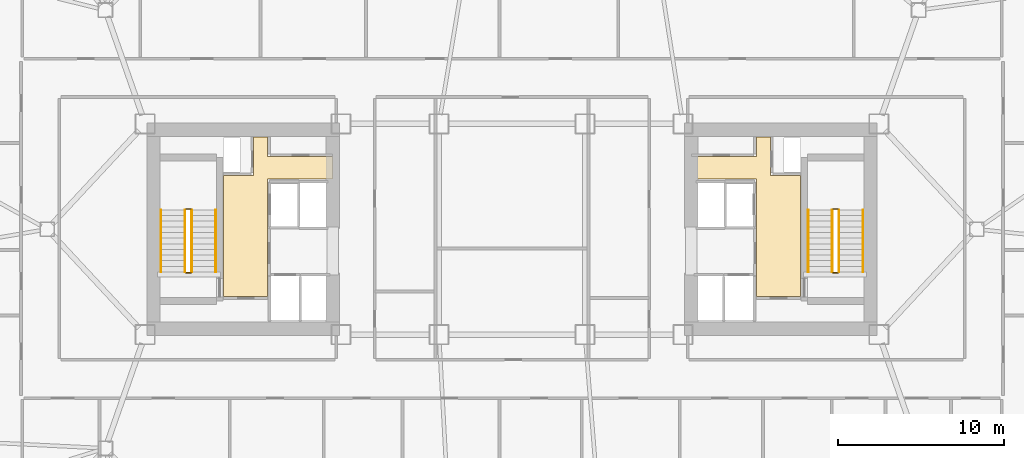
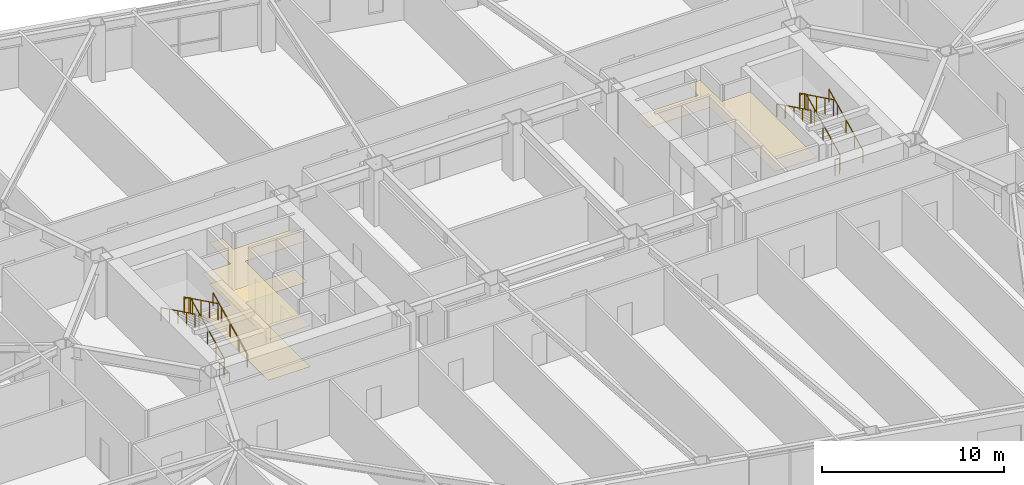
# One storey, part 19 of 19: 12 railings, 3 coverings.
"""IFC4 building model written with IfcOpenShell, lengths in metres."""

from ifc_helpers import new_model, si_unit, direction, frame, origin, origin_2d, place, context, subcontext, project, spatial, polyline, rectangle, outline, extrude, material, layer, layer_set, type_object, element, save


model = new_model("IFC4")

# Units and contexts
model_context = context("Model", 3, precision=1e-05, world=origin(), true_north=direction((0.0, 1.0)))
body_context = subcontext(model_context, "Body", "Model", "MODEL_VIEW")
ifc_project = project(units=[si_unit("LENGTHUNIT", "METRE"), si_unit("AREAUNIT", "SQUARE_METRE"), si_unit("VOLUMEUNIT", "CUBIC_METRE"), si_unit("PLANEANGLEUNIT", "RADIAN"), si_unit("MASSUNIT", "GRAM", prefix="KILO")], contexts=[model_context])

# Site, building, storey
site_placement = place(None, origin())
site = spatial("IfcSite", under=ifc_project, at=site_placement, CompositionType="ELEMENT")
building_placement = place(site_placement, origin())
building = spatial("IfcBuilding", under=site, at=building_placement, Name="Tavrogorsk Clinical Tower", CompositionType="ELEMENT")
storey_placement = place(building_placement, frame((0.0, 0.0, 75.39990234375)))
storey = spatial("IfcBuildingStorey", under=building, at=storey_placement, Name="L16", CompositionType="ELEMENT", Elevation=75.39990234375)

# Coverings
ifc_material_1 = material(Name="Antibacterial micro-perforated aluminium ceiling", Category="aluminium")
ifc_layer_1 = layer(ifc_material_1, 0.014892578125)
ifc_layer_set_1 = layer_set([ifc_layer_1], Name="Antibacterial micro-perforated aluminium ceiling")
covering_type_1 = type_object("IfcCoveringType", Name="ClinicalCeiling_15", PredefinedType="CEILING", material=ifc_layer_set_1)
covering_1_placement = place(storey_placement, frame((0.0, 0.0, 2.75)))
element("IfcCovering", 1, at=covering_1_placement, inside=storey, type_object=covering_type_1, Name="Core West Firefighting Lift Lobby Acoustic Ceiling", PredefinedType="CEILING", context=body_context, shape_type="SweptSolid", body=[
    extrude(outline(polyline([(-14.719970703125, 4.3798828125), (-10.800048828125, 4.3798828125), (-10.800048828125, 3.0400390625), (-14.719970703125, 3.0400390625), (-14.719970703125, -4.06005859375), (-17.3798828125, -4.06005859375), (-17.3798828125, 3.239990234375), (-15.56005859375, 3.239990234375), (-15.56005859375, 5.56005859375), (-14.719970703125, 5.56005859375), (-14.719970703125, 4.3798828125)])), origin(), (0.0, 0.0, 1.0), 0.01513671875),
])
covering_2_placement = place(storey_placement, frame((0.0, 0.0, 2.75)))
element("IfcCovering", 2, at=covering_2_placement, inside=storey, type_object=covering_type_1, Name="Core East Firefighting Lift Lobby Acoustic Ceiling", PredefinedType="CEILING", context=body_context, shape_type="SweptSolid", body=[
    extrude(outline(polyline([(14.719970703125, -4.06005859375), (14.719970703125, 3.0400390625), (10.800048828125, 3.0400390625), (10.800048828125, 4.3798828125), (14.719970703125, 4.3798828125), (14.719970703125, 5.56005859375), (15.56005859375, 5.56005859375), (15.56005859375, 3.239990234375), (17.3798828125, 3.239990234375), (17.3798828125, -4.06005859375), (14.719970703125, -4.06005859375)])), origin(), (0.0, 0.0, 1.0), 0.01513671875),
])
ifc_material_2 = material(Name="Homogeneous medical conductive PVC flooring")
ifc_layer_2 = layer(ifc_material_2, 0.008056640625)
ifc_layer_set_2 = layer_set([ifc_layer_2], Name="Homogeneous medical conductive PVC flooring")
covering_type_2 = type_object("IfcCoveringType", Name="ResilientVinylFloor_8", PredefinedType="FLOORING", material=ifc_layer_set_2)
covering_3_placement = place(storey_placement, origin())
element("IfcCovering", 3, at=covering_3_placement, inside=storey, type_object=covering_type_2, Name="Core West Firefighting Lift Lobby Conductive Vinyl Flooring", PredefinedType="FLOORING", context=body_context, shape_type="SweptSolid", body=[
    extrude(outline(polyline([(-14.719970703125, 4.3798828125), (-10.800048828125, 4.3798828125), (-10.800048828125, 3.0400390625), (-14.719970703125, 3.0400390625), (-14.719970703125, -4.06005859375), (-17.3798828125, -4.06005859375), (-17.3798828125, 3.239990234375), (-15.56005859375, 3.239990234375), (-15.56005859375, 5.56005859375), (-14.719970703125, 5.56005859375), (-14.719970703125, 4.3798828125)])), origin(), (0.0, 0.0, 1.0), 0.008056640625),
])

# Railings
ifc_material_3 = material(Name="Galvanised steel S355 safety stairwell guard", Category="steel")
ifc_layer_3 = layer(ifc_material_3, 0.06005859375)
ifc_layer_set_3 = layer_set([ifc_layer_3], Name="Galvanised steel S355 safety stairwell guard")
railing_type_1 = type_object("IfcRailingType", Name="StairGuard_1150", PredefinedType="GUARDRAIL", material=ifc_layer_set_3)
railing_1_placement = place(storey_placement, frame((-19.300048828125, -2.574951171875, 0.166748046875)))
element("IfcRailing", 4, at=railing_1_placement, inside=storey, type_object=railing_type_1, Name="L16 ST-W stair guard 1", PredefinedType="GUARDRAIL", context=body_context, shape_type="SweptSolid", body=[
    extrude(rectangle(XDim=0.048095703125, YDim=0.048095703125, at=origin_2d()), frame((0.0, 0.0, 1.076171875), z_axis=(0.0, 0.897927990467, 0.440142390523), x_axis=(-1.0, 0.0, 0.0)), (0.0, 0.0, 1.0), 4.1650390625),
    extrude(rectangle(XDim=0.0419921875, YDim=0.0419921875, at=origin_2d()), origin(), (0.0, 0.0, 1.0), 1.052001953125),
    extrude(rectangle(XDim=0.0419921875, YDim=0.0419921875, at=origin_2d()), frame((0.0, 0.93505859375, 0.458251953125)), (0.0, 0.0, 1.0), 1.052001953125),
    extrude(rectangle(XDim=0.0419921875, YDim=0.0419921875, at=origin_2d()), frame((0.0, 1.8701171875, 0.91650390625)), (0.0, 0.0, 1.0), 1.052001953125),
    extrude(rectangle(XDim=0.0419921875, YDim=0.0419921875, at=origin_2d()), frame((0.0, 2.804931640625, 1.375)), (0.0, 0.0, 1.0), 1.052001953125),
    extrude(rectangle(XDim=0.0419921875, YDim=0.0419921875, at=origin_2d()), frame((0.0, 3.739990234375, 1.833251953125)), (0.0, 0.0, 1.0), 1.052001953125),
])
railing_2_placement = place(storey_placement, frame((-19.35009765625, 1.215087890625, 2.0)))
element("IfcRailing", 5, at=railing_2_placement, inside=storey, type_object=railing_type_1, Name="L16 ST-W stair guard 2", PredefinedType="GUARDRAIL", context=body_context, shape_type="SweptSolid", body=[
    extrude(rectangle(XDim=0.048095703125, YDim=0.048095703125, at=origin_2d()), frame((0.0, 0.0, 1.076171875), z_axis=(-1.0, 0.0, 0.0), x_axis=(0.0, -1.0, 0.0)), (0.0, 0.0, 1.0), 0.2998046875),
    extrude(rectangle(XDim=0.0419921875, YDim=0.0419921875, at=origin_2d()), origin(), (0.0, 0.0, 1.0), 1.052001953125),
    extrude(rectangle(XDim=0.0419921875, YDim=0.0419921875, at=origin_2d()), frame((-0.2998046875, 0.0, 0.0)), (0.0, 0.0, 1.0), 1.052001953125),
])
railing_3_placement = place(storey_placement, frame((-19.699951171875, 1.1650390625, 2.166748046875)))
element("IfcRailing", 6, at=railing_3_placement, inside=storey, type_object=railing_type_1, Name="L16 ST-W stair guard 3", PredefinedType="GUARDRAIL", context=body_context, shape_type="SweptSolid", body=[
    extrude(rectangle(XDim=0.048095703125, YDim=0.048095703125, at=origin_2d()), frame((0.0, 0.0, 1.076171875), z_axis=(0.0, -0.897927990467, 0.440142390523), x_axis=(1.0, 0.0, 0.0)), (0.0, 0.0, 1.0), 4.1650390625),
    extrude(rectangle(XDim=0.0419921875, YDim=0.0419921875, at=origin_2d()), origin(), (0.0, 0.0, 1.0), 1.052001953125),
    extrude(rectangle(XDim=0.0419921875, YDim=0.0419921875, at=origin_2d()), frame((0.0, -0.93505859375, 0.458251953125)), (0.0, 0.0, 1.0), 1.052001953125),
    extrude(rectangle(XDim=0.0419921875, YDim=0.0419921875, at=origin_2d()), frame((0.0, -1.8701171875, 0.91650390625)), (0.0, 0.0, 1.0), 1.052001953125),
    extrude(rectangle(XDim=0.0419921875, YDim=0.0419921875, at=origin_2d()), frame((0.0, -2.804931640625, 1.375)), (0.0, 0.0, 1.0), 1.052001953125),
    extrude(rectangle(XDim=0.0419921875, YDim=0.0419921875, at=origin_2d()), frame((0.0, -3.739990234375, 1.833251953125)), (0.0, 0.0, 1.0), 1.052001953125),
])
railing_4_placement = place(storey_placement, frame((-19.35009765625, -2.625, 0.0)))
element("IfcRailing", 7, at=railing_4_placement, inside=storey, type_object=railing_type_1, Name="L16 ST-W stair guard 4", PredefinedType="GUARDRAIL", context=body_context, shape_type="SweptSolid", body=[
    extrude(rectangle(XDim=0.048095703125, YDim=0.048095703125, at=origin_2d()), frame((0.0, 0.0, 1.076171875), z_axis=(-1.0, 0.0, 0.0), x_axis=(0.0, -1.0, 0.0)), (0.0, 0.0, 1.0), 0.2998046875),
    extrude(rectangle(XDim=0.0419921875, YDim=0.0419921875, at=origin_2d()), origin(), (0.0, 0.0, 1.0), 1.052001953125),
    extrude(rectangle(XDim=0.0419921875, YDim=0.0419921875, at=origin_2d()), frame((-0.2998046875, 0.0, 0.0)), (0.0, 0.0, 1.0), 1.052001953125),
])
railing_5_placement = place(storey_placement, frame((19.699951171875, -2.574951171875, 0.166748046875)))
element("IfcRailing", 8, at=railing_5_placement, inside=storey, type_object=railing_type_1, Name="L16 ST-E stair guard 1", PredefinedType="GUARDRAIL", context=body_context, shape_type="SweptSolid", body=[
    extrude(rectangle(XDim=0.048095703125, YDim=0.048095703125, at=origin_2d()), frame((0.0, 0.0, 1.076171875), z_axis=(0.0, 0.897927990467, 0.440142390523), x_axis=(-1.0, 0.0, 0.0)), (0.0, 0.0, 1.0), 4.1650390625),
    extrude(rectangle(XDim=0.0419921875, YDim=0.0419921875, at=origin_2d()), origin(), (0.0, 0.0, 1.0), 1.052001953125),
    extrude(rectangle(XDim=0.0419921875, YDim=0.0419921875, at=origin_2d()), frame((0.0, 0.93505859375, 0.458251953125)), (0.0, 0.0, 1.0), 1.052001953125),
    extrude(rectangle(XDim=0.0419921875, YDim=0.0419921875, at=origin_2d()), frame((0.0, 1.8701171875, 0.91650390625)), (0.0, 0.0, 1.0), 1.052001953125),
    extrude(rectangle(XDim=0.0419921875, YDim=0.0419921875, at=origin_2d()), frame((0.0, 2.804931640625, 1.375)), (0.0, 0.0, 1.0), 1.052001953125),
    extrude(rectangle(XDim=0.0419921875, YDim=0.0419921875, at=origin_2d()), frame((0.0, 3.739990234375, 1.833251953125)), (0.0, 0.0, 1.0), 1.052001953125),
])
railing_6_placement = place(storey_placement, frame((19.64990234375, 1.215087890625, 2.0)))
element("IfcRailing", 9, at=railing_6_placement, inside=storey, type_object=railing_type_1, Name="L16 ST-E stair guard 2", PredefinedType="GUARDRAIL", context=body_context, shape_type="SweptSolid", body=[
    extrude(rectangle(XDim=0.048095703125, YDim=0.048095703125, at=origin_2d()), frame((0.0, 0.0, 1.076171875), z_axis=(-1.0, 0.0, 0.0), x_axis=(0.0, -1.0, 0.0)), (0.0, 0.0, 1.0), 0.2998046875),
    extrude(rectangle(XDim=0.0419921875, YDim=0.0419921875, at=origin_2d()), origin(), (0.0, 0.0, 1.0), 1.052001953125),
    extrude(rectangle(XDim=0.0419921875, YDim=0.0419921875, at=origin_2d()), frame((-0.2998046875, 0.0, 0.0)), (0.0, 0.0, 1.0), 1.052001953125),
])
railing_7_placement = place(storey_placement, frame((19.300048828125, 1.1650390625, 2.166748046875)))
element("IfcRailing", 10, at=railing_7_placement, inside=storey, type_object=railing_type_1, Name="L16 ST-E stair guard 3", PredefinedType="GUARDRAIL", context=body_context, shape_type="SweptSolid", body=[
    extrude(rectangle(XDim=0.048095703125, YDim=0.048095703125, at=origin_2d()), frame((0.0, 0.0, 1.076171875), z_axis=(0.0, -0.897927990467, 0.440142390523), x_axis=(1.0, 0.0, 0.0)), (0.0, 0.0, 1.0), 4.1650390625),
    extrude(rectangle(XDim=0.0419921875, YDim=0.0419921875, at=origin_2d()), origin(), (0.0, 0.0, 1.0), 1.052001953125),
    extrude(rectangle(XDim=0.0419921875, YDim=0.0419921875, at=origin_2d()), frame((0.0, -0.93505859375, 0.458251953125)), (0.0, 0.0, 1.0), 1.052001953125),
    extrude(rectangle(XDim=0.0419921875, YDim=0.0419921875, at=origin_2d()), frame((0.0, -1.8701171875, 0.91650390625)), (0.0, 0.0, 1.0), 1.052001953125),
    extrude(rectangle(XDim=0.0419921875, YDim=0.0419921875, at=origin_2d()), frame((0.0, -2.804931640625, 1.375)), (0.0, 0.0, 1.0), 1.052001953125),
    extrude(rectangle(XDim=0.0419921875, YDim=0.0419921875, at=origin_2d()), frame((0.0, -3.739990234375, 1.833251953125)), (0.0, 0.0, 1.0), 1.052001953125),
])
railing_8_placement = place(storey_placement, frame((19.64990234375, -2.625, 0.0)))
element("IfcRailing", 11, at=railing_8_placement, inside=storey, type_object=railing_type_1, Name="L16 ST-E stair guard 4", PredefinedType="GUARDRAIL", context=body_context, shape_type="SweptSolid", body=[
    extrude(rectangle(XDim=0.048095703125, YDim=0.048095703125, at=origin_2d()), frame((0.0, 0.0, 1.076171875), z_axis=(-1.0, 0.0, 0.0), x_axis=(0.0, -1.0, 0.0)), (0.0, 0.0, 1.0), 0.2998046875),
    extrude(rectangle(XDim=0.0419921875, YDim=0.0419921875, at=origin_2d()), origin(), (0.0, 0.0, 1.0), 1.052001953125),
    extrude(rectangle(XDim=0.0419921875, YDim=0.0419921875, at=origin_2d()), frame((-0.2998046875, 0.0, 0.0)), (0.0, 0.0, 1.0), 1.052001953125),
])
ifc_material_4 = material(Name="Stainless steel AISI 304 tubular handrail", Category="steel")
ifc_layer_4 = layer(ifc_material_4, 0.050048828125)
ifc_layer_set_4 = layer_set([ifc_layer_4], Name="Stainless steel AISI 304 tubular handrail")
railing_type_2 = type_object("IfcRailingType", Name="StairHandrail_920", PredefinedType="HANDRAIL", material=ifc_layer_set_4)
railing_9_placement = place(storey_placement, frame((-17.85009765625, -2.574951171875, 0.166748046875)))
element("IfcRailing", 12, at=railing_9_placement, inside=storey, type_object=railing_type_2, Name="L16 ST-W stair handrail 1", PredefinedType="HANDRAIL", context=body_context, shape_type="SweptSolid", body=[
    extrude(rectangle(XDim=0.048095703125, YDim=0.048095703125, at=origin_2d()), frame((0.0, 0.0, 0.8759765625), z_axis=(0.0, 0.897927990467, 0.440142390523), x_axis=(-1.0, 0.0, 0.0)), (0.0, 0.0, 1.0), 4.1650390625),
    extrude(rectangle(XDim=0.0419921875, YDim=0.0419921875, at=origin_2d()), origin(), (0.0, 0.0, 1.0), 0.851806640625),
    extrude(rectangle(XDim=0.0419921875, YDim=0.0419921875, at=origin_2d()), frame((0.0, 0.93505859375, 0.458251953125)), (0.0, 0.0, 1.0), 0.851806640625),
    extrude(rectangle(XDim=0.0419921875, YDim=0.0419921875, at=origin_2d()), frame((0.0, 1.8701171875, 0.91650390625)), (0.0, 0.0, 1.0), 0.851806640625),
    extrude(rectangle(XDim=0.0419921875, YDim=0.0419921875, at=origin_2d()), frame((0.0, 2.804931640625, 1.375)), (0.0, 0.0, 1.0), 0.851806640625),
    extrude(rectangle(XDim=0.0419921875, YDim=0.0419921875, at=origin_2d()), frame((0.0, 3.739990234375, 1.833251953125)), (0.0, 0.0, 1.0), 0.851806640625),
])
railing_10_placement = place(storey_placement, frame((-21.14990234375, 1.1650390625, 2.166748046875)))
element("IfcRailing", 13, at=railing_10_placement, inside=storey, type_object=railing_type_2, Name="L16 ST-W stair handrail 2", PredefinedType="HANDRAIL", context=body_context, shape_type="SweptSolid", body=[
    extrude(rectangle(XDim=0.048095703125, YDim=0.048095703125, at=origin_2d()), frame((0.0, 0.0, 0.8759765625), z_axis=(0.0, -0.897927990467, 0.440142390523), x_axis=(1.0, 0.0, 0.0)), (0.0, 0.0, 1.0), 4.1650390625),
    extrude(rectangle(XDim=0.0419921875, YDim=0.0419921875, at=origin_2d()), origin(), (0.0, 0.0, 1.0), 0.851806640625),
    extrude(rectangle(XDim=0.0419921875, YDim=0.0419921875, at=origin_2d()), frame((0.0, -0.93505859375, 0.458251953125)), (0.0, 0.0, 1.0), 0.851806640625),
    extrude(rectangle(XDim=0.0419921875, YDim=0.0419921875, at=origin_2d()), frame((0.0, -1.8701171875, 0.91650390625)), (0.0, 0.0, 1.0), 0.851806640625),
    extrude(rectangle(XDim=0.0419921875, YDim=0.0419921875, at=origin_2d()), frame((0.0, -2.804931640625, 1.375)), (0.0, 0.0, 1.0), 0.851806640625),
    extrude(rectangle(XDim=0.0419921875, YDim=0.0419921875, at=origin_2d()), frame((0.0, -3.739990234375, 1.833251953125)), (0.0, 0.0, 1.0), 0.851806640625),
])
railing_11_placement = place(storey_placement, frame((21.14990234375, -2.574951171875, 0.166748046875)))
element("IfcRailing", 14, at=railing_11_placement, inside=storey, type_object=railing_type_2, Name="L16 ST-E stair handrail 1", PredefinedType="HANDRAIL", context=body_context, shape_type="SweptSolid", body=[
    extrude(rectangle(XDim=0.048095703125, YDim=0.048095703125, at=origin_2d()), frame((0.0, 0.0, 0.8759765625), z_axis=(0.0, 0.897927990467, 0.440142390523), x_axis=(-1.0, 0.0, 0.0)), (0.0, 0.0, 1.0), 4.1650390625),
    extrude(rectangle(XDim=0.0419921875, YDim=0.0419921875, at=origin_2d()), origin(), (0.0, 0.0, 1.0), 0.851806640625),
    extrude(rectangle(XDim=0.0419921875, YDim=0.0419921875, at=origin_2d()), frame((0.0, 0.93505859375, 0.458251953125)), (0.0, 0.0, 1.0), 0.851806640625),
    extrude(rectangle(XDim=0.0419921875, YDim=0.0419921875, at=origin_2d()), frame((0.0, 1.8701171875, 0.91650390625)), (0.0, 0.0, 1.0), 0.851806640625),
    extrude(rectangle(XDim=0.0419921875, YDim=0.0419921875, at=origin_2d()), frame((0.0, 2.804931640625, 1.375)), (0.0, 0.0, 1.0), 0.851806640625),
    extrude(rectangle(XDim=0.0419921875, YDim=0.0419921875, at=origin_2d()), frame((0.0, 3.739990234375, 1.833251953125)), (0.0, 0.0, 1.0), 0.851806640625),
])
railing_12_placement = place(storey_placement, frame((17.85009765625, 1.1650390625, 2.166748046875)))
element("IfcRailing", 15, at=railing_12_placement, inside=storey, type_object=railing_type_2, Name="L16 ST-E stair handrail 2", PredefinedType="HANDRAIL", context=body_context, shape_type="SweptSolid", body=[
    extrude(rectangle(XDim=0.048095703125, YDim=0.048095703125, at=origin_2d()), frame((0.0, 0.0, 0.8759765625), z_axis=(0.0, -0.897927990467, 0.440142390523), x_axis=(1.0, 0.0, 0.0)), (0.0, 0.0, 1.0), 4.1650390625),
    extrude(rectangle(XDim=0.0419921875, YDim=0.0419921875, at=origin_2d()), origin(), (0.0, 0.0, 1.0), 0.851806640625),
    extrude(rectangle(XDim=0.0419921875, YDim=0.0419921875, at=origin_2d()), frame((0.0, -0.93505859375, 0.458251953125)), (0.0, 0.0, 1.0), 0.851806640625),
    extrude(rectangle(XDim=0.0419921875, YDim=0.0419921875, at=origin_2d()), frame((0.0, -1.8701171875, 0.91650390625)), (0.0, 0.0, 1.0), 0.851806640625),
    extrude(rectangle(XDim=0.0419921875, YDim=0.0419921875, at=origin_2d()), frame((0.0, -2.804931640625, 1.375)), (0.0, 0.0, 1.0), 0.851806640625),
    extrude(rectangle(XDim=0.0419921875, YDim=0.0419921875, at=origin_2d()), frame((0.0, -3.739990234375, 1.833251953125)), (0.0, 0.0, 1.0), 0.851806640625),
])

save(model, "model.ifc")
